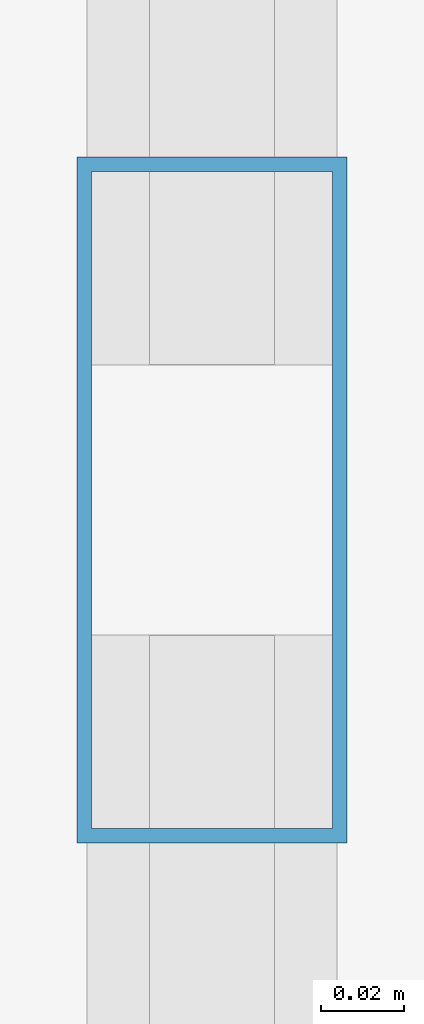
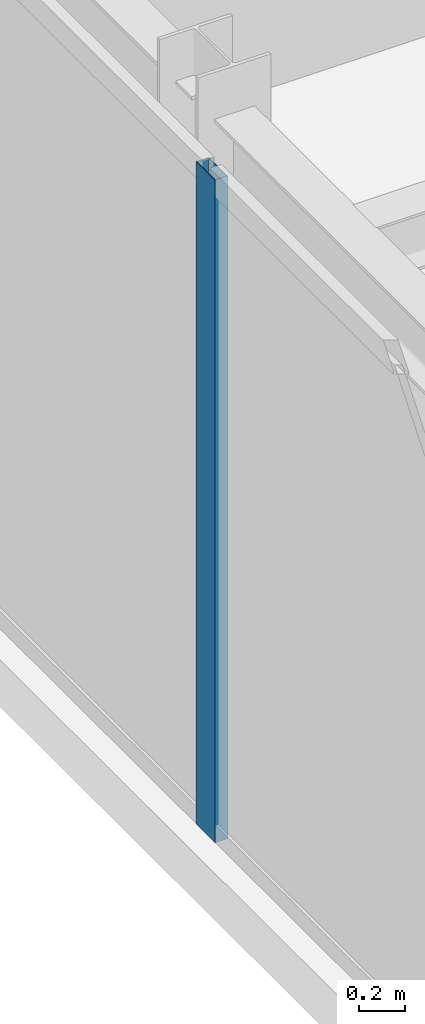
# One storey, part 10 of 30: 1 member, 1 element without a shape of its own.
"""IFC4 building model written with IfcOpenShell, lengths in metres."""

from ifc_helpers import new_model, si_unit, direction, frame, origin, origin_2d, place, context, subcontext, project, spatial, hollow_rectangle, extrude, source, transform, mapped, material, layer, layer_set, material_profile, profile_set, type_object, type_shapes, element, aggregate, save


model = new_model("IFC4")

# Units and contexts
model_context = context("Model", 3, precision=1e-05, world=origin(), true_north=direction((0.0, 1.0)))
body_context = subcontext(model_context, "Body", "Model", "MODEL_VIEW")
ifc_project = project(units=[si_unit("LENGTHUNIT", "METRE"), si_unit("AREAUNIT", "SQUARE_METRE"), si_unit("VOLUMEUNIT", "CUBIC_METRE"), si_unit("PLANEANGLEUNIT", "RADIAN"), si_unit("MASSUNIT", "GRAM", prefix="KILO")], contexts=[model_context])

# Site, building, storey
site_placement = place(None, origin())
site = spatial("IfcSite", under=ifc_project, at=site_placement, CompositionType="ELEMENT")
building_placement = place(site_placement, origin())
building = spatial("IfcBuilding", under=site, at=building_placement, Name="Varnel Quay Broadcast Tower", CompositionType="ELEMENT")
storey_placement = place(building_placement, frame((0.0, 0.0, 207.39990234375)))
storey = spatial("IfcBuildingStorey", under=building, at=storey_placement, Name="L51", CompositionType="ELEMENT", Elevation=207.39990234375)

# Curtain wall, member
ifc_material = material(Name="Anodised Bronze Aluminium 6063-T6", Category="aluminium")
ifc_layer = layer(ifc_material, 0.18994140625, Name="Anodised Bronze Aluminium 6063-T6")
ifc_layer_set = layer_set([ifc_layer], Name="Anodised Bronze Aluminium 6063-T6")
curtain_wall_type = type_object("IfcCurtainWallType", Name="CW_UpperTower", PredefinedType="NOTDEFINED", material=ifc_layer_set)
curtain_wall_placement = place(storey_placement, origin())
curtain_wall = element("IfcCurtainWall", 1, at=curtain_wall_placement, inside=storey, type_object=curtain_wall_type, Name="L51 West Unitised Curtain Wall", PredefinedType="NOTDEFINED")
ifc_material_profile = material_profile(ifc_material, hollow_rectangle(XDim=0.06494140625, YDim=0.1650390625, WallThickness=0.00341796875, at=origin_2d()), Name="ALU65X165X3.5")
ifc_profile_set = profile_set([ifc_material_profile], Name="Anodised Bronze Aluminium 6063-T6")
member_type = type_object("IfcMemberType", Name="Mull_CWS-03", PredefinedType="MULLION", material=ifc_profile_set)
shared_shape = source(origin(), body_context, "Body", "SweptSolid", [
    extrude(hollow_rectangle(XDim=0.06494140625, YDim=0.1650390625, WallThickness=0.00341796875, at=origin_2d()), origin(), (0.0, 0.0, 1.0), 3.550048828125),
])
type_shapes(member_type, [shared_shape])
member_placement = place(storey_placement, frame((9.64990234375, 28.5, 0.0), z_axis=(0.0, 0.0, 1.0), x_axis=(-1.0, 0.0, 0.0)))
member = element("IfcMember", 2, at=member_placement, type_object=member_type, Name="CWS-03 mullion 2", PredefinedType="MULLION", context=body_context, shape_type="MappedRepresentation", body=[
    mapped(shared_shape, transform((0.0, 0.0, 0.0), x_axis=(1.0, 0.0, 0.0), y_axis=(0.0, 1.0, 0.0), z_axis=(0.0, 0.0, 1.0), scale=1.0)),
])
aggregate(curtain_wall, [member])

save(model, "model.ifc")
